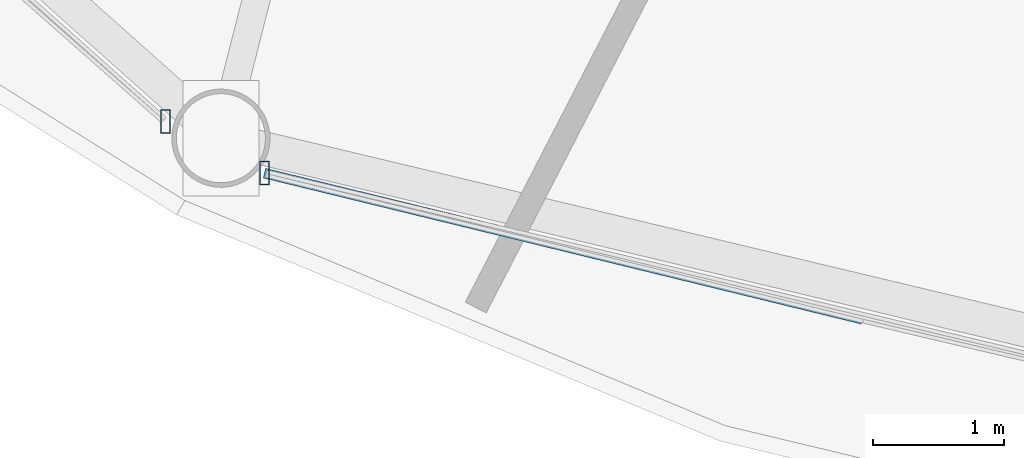
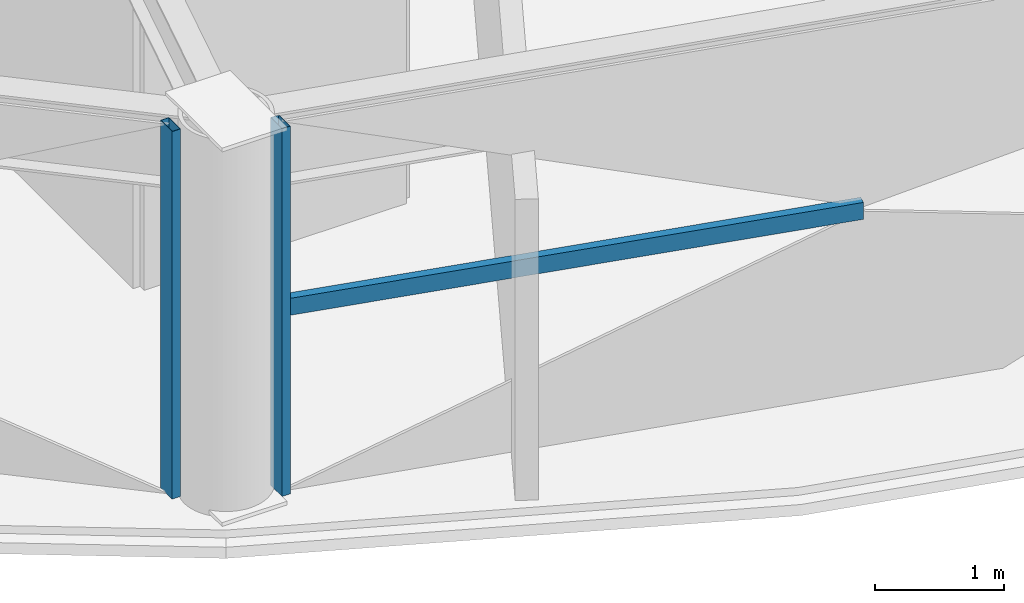
# One storey, part 2 of 32: 3 members, 2 elements without a shape of their own.
"""IFC4 building model written with IfcOpenShell, lengths in metres."""

from ifc_helpers import new_model, si_unit, direction, frame, origin, origin_2d, place, context, subcontext, project, spatial, hollow_rectangle, extrude, material, layer, layer_set, material_profile, profile_set, type_object, element, aggregate, save


model = new_model("IFC4")

# Units and contexts
model_context = context("Model", 3, precision=1e-05, world=origin(), true_north=direction((0.0, 1.0)))
body_context = subcontext(model_context, "Body", "Model", "MODEL_VIEW")
ifc_project = project(units=[si_unit("LENGTHUNIT", "METRE"), si_unit("AREAUNIT", "SQUARE_METRE"), si_unit("VOLUMEUNIT", "CUBIC_METRE"), si_unit("PLANEANGLEUNIT", "RADIAN"), si_unit("MASSUNIT", "GRAM", prefix="KILO")], contexts=[model_context])

# Site, building, storey
site_placement = place(None, origin())
site = spatial("IfcSite", under=ifc_project, at=site_placement, CompositionType="ELEMENT")
building_placement = place(site_placement, origin())
building = spatial("IfcBuilding", under=site, at=building_placement, Name="Vantalir Tower", CompositionType="ELEMENT")
storey_placement = place(building_placement, frame((0.0, 0.0, 108.449951171875)))
storey = spatial("IfcBuildingStorey", under=building, at=storey_placement, Name="L26", CompositionType="ELEMENT", Elevation=108.449951171875)

# Curtain wall, member
ifc_material_1 = material(Name="Champagne-silver PVDF aluminium and double-silver Low-E glass", Category="aluminium")
ifc_layer = layer(ifc_material_1, 0.199951171875)
ifc_layer_set = layer_set([ifc_layer], Name="Champagne-silver PVDF aluminium and double-silver Low-E glass")
curtain_wall_type = type_object("IfcCurtainWallType", Name="CW-DIAMOND-Z2", PredefinedType="USERDEFINED", material=ifc_layer_set)
curtain_wall_1_placement = place(storey_placement, origin())
curtain_wall_1 = element("IfcCurtainWall", 1, at=curtain_wall_1_placement, inside=storey, type_object=curtain_wall_type, Name="L26 Quilted Pyramid-Diamond Curtain Wall S08", ObjectType="UNITISED CURTAIN WALL", PredefinedType="USERDEFINED")
ifc_material_2 = material(Name="Champagne-silver PVDF aluminium 6063-T6", Category="aluminium")
ifc_material_profile_1 = material_profile(ifc_material_2, hollow_rectangle(XDim=0.074951171875, YDim=0.179931640625, WallThickness=0.00390625, at=origin_2d()), Name="Champagne-silver PVDF aluminium 6063-T6")
ifc_profile_set_1 = profile_set([ifc_material_profile_1], Name="Champagne-silver PVDF aluminium 6063-T6")
member_type_1 = type_object("IfcMemberType", Name="CWM-180x75", PredefinedType="MULLION", material=ifc_profile_set_1)
member_1_placement = place(storey_placement, frame((18.282958984375, 5.39306640625, 0.045166015625), z_axis=(0.0, 0.0, 1.0), x_axis=(1.0, 0.0, 0.0)))
member_1 = element("IfcMember", 2, at=member_1_placement, type_object=member_type_1, Name="CW-L26-S08 Mullion 2", PredefinedType="MULLION", context=body_context, shape_type="SweptSolid", body=[
    extrude(hollow_rectangle(XDim=0.074951171875, YDim=0.179931640625, WallThickness=0.00390625, at=origin_2d()), origin(), (0.0, 0.0, 1.0), 3.47998046875),
])
aggregate(curtain_wall_1, [member_1])

# Curtain wall, members
curtain_wall_2_placement = place(storey_placement, origin())
curtain_wall_2 = element("IfcCurtainWall", 3, at=curtain_wall_2_placement, inside=storey, type_object=curtain_wall_type, Name="L26 Quilted Pyramid-Diamond Curtain Wall S09", ObjectType="UNITISED CURTAIN WALL", PredefinedType="USERDEFINED")
member_2_placement = place(storey_placement, frame((19.0390625, 4.998046875, 0.045166015625), z_axis=(0.0, 0.0, 1.0), x_axis=(1.0, 0.0, 0.0)))
member_2 = element("IfcMember", 4, at=member_2_placement, type_object=member_type_1, Name="CW-L26-S09 Mullion 1", PredefinedType="MULLION", context=body_context, shape_type="SweptSolid", body=[
    extrude(hollow_rectangle(XDim=0.074951171875, YDim=0.179931640625, WallThickness=0.00390625, at=origin_2d()), origin(), (0.0, 0.0, 1.0), 3.47998046875),
])
ifc_material_profile_2 = material_profile(ifc_material_2, hollow_rectangle(XDim=0.074951171875, YDim=0.159912109375, WallThickness=0.00390625, at=origin_2d()), Name="Champagne-silver PVDF aluminium 6063-T6")
ifc_profile_set_2 = profile_set([ifc_material_profile_2], Name="Champagne-silver PVDF aluminium 6063-T6")
member_type_2 = type_object("IfcMemberType", Name="CWT-160x75", PredefinedType="USERDEFINED", material=ifc_profile_set_2)
member_3_placement = place(storey_placement, frame((19.0390625, 4.998046875, 1.78515625), z_axis=(0.971430694941, -0.237323418412, 0.0), x_axis=(0.237323418412, 0.971430694941, 0.0)))
member_3 = element("IfcMember", 5, at=member_3_placement, type_object=member_type_2, Name="CW-L26-S09 Pyramid Fold Ridge Transom", ObjectType="TRANSOM", PredefinedType="USERDEFINED", context=body_context, shape_type="SweptSolid", body=[
    extrude(hollow_rectangle(XDim=0.074951171875, YDim=0.159912109375, WallThickness=0.00390625, at=origin_2d()), origin(), (0.0, 0.0, 1.0), 4.6982421875),
])
aggregate(curtain_wall_2, [member_2, member_3])

save(model, "model.ifc")
